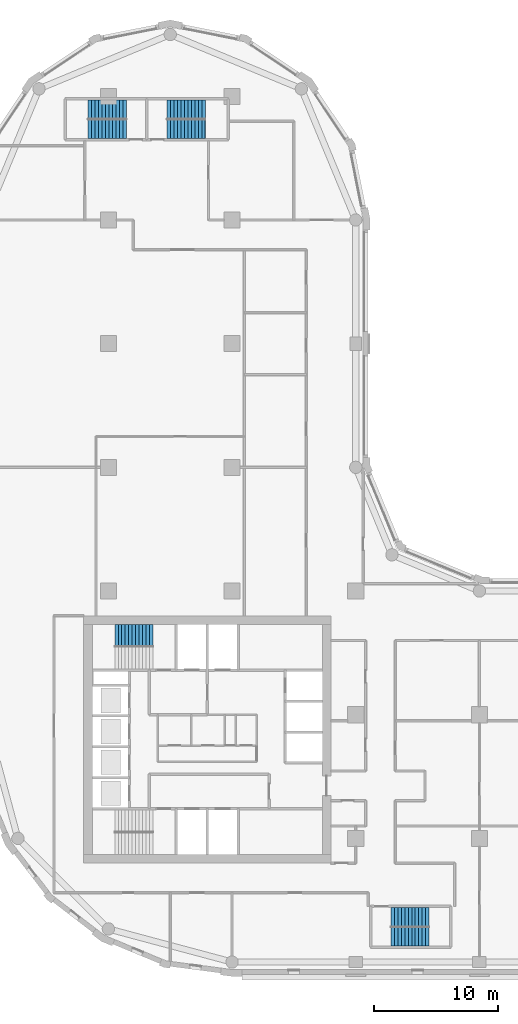
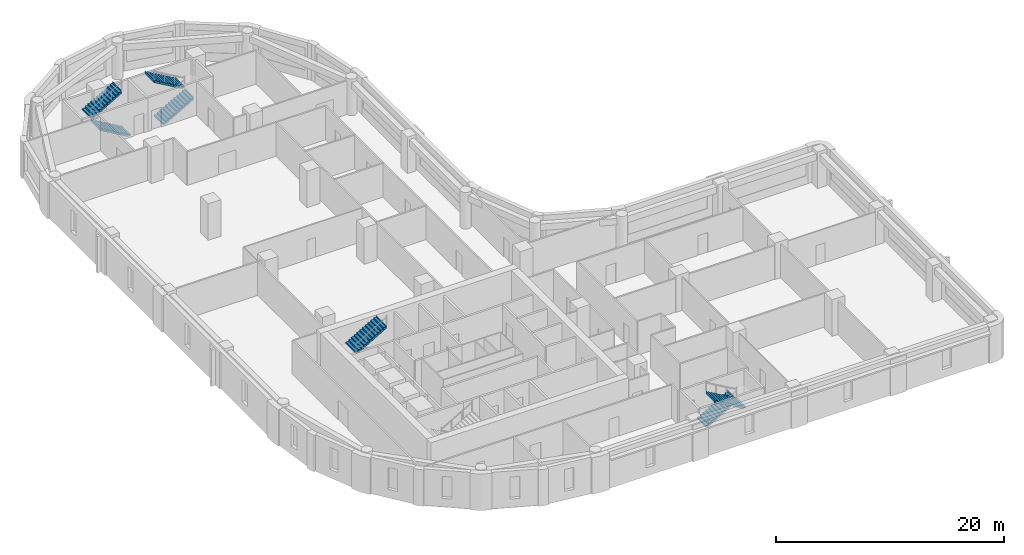
# One storey, part 7 of 9: 7 stair flights, 4 elements without a shape of their own.
"""IFC4 building model written with IfcOpenShell, lengths in metres."""

from ifc_helpers import new_model, si_unit, direction, frame, origin, place, context, subcontext, project, spatial, polyline, outline, extrude, material, type_object, element, aggregate, save


model = new_model("IFC4")

# Units and contexts
model_context = context("Model", 3, precision=1e-05, world=origin(), true_north=direction((0.0, 1.0)))
body_context = subcontext(model_context, "Body", "Model", "MODEL_VIEW")
ifc_project = project(units=[si_unit("LENGTHUNIT", "METRE"), si_unit("AREAUNIT", "SQUARE_METRE"), si_unit("VOLUMEUNIT", "CUBIC_METRE"), si_unit("PLANEANGLEUNIT", "RADIAN"), si_unit("MASSUNIT", "GRAM", prefix="KILO")], contexts=[model_context])

# Site, building, storey
site_placement = place(None, origin())
site = spatial("IfcSite", under=ifc_project, at=site_placement, CompositionType="ELEMENT")
building_placement = place(site_placement, origin())
building = spatial("IfcBuilding", under=site, at=building_placement, Name="Qaws Garden Tower", CompositionType="ELEMENT")
storey_placement = place(building_placement, frame((0.0, 0.0, 162.89990234375)))
storey = spatial("IfcBuildingStorey", under=building, at=storey_placement, Name="L39", CompositionType="ELEMENT", Elevation=162.89990234375)

# Stair, stair flights
ifc_material_1 = material(Name="Concrete C40", Category="concrete")
stair_type_1 = type_object("IfcStairType", Name="Exit stair 1350", PredefinedType="HALF_TURN_STAIR", material=ifc_material_1)
placement = place(storey_placement, origin())
stair_1 = element("IfcStair", 1, at=placement, inside=storey, type_object=stair_type_1, Name="Stair 5", PredefinedType="HALF_TURN_STAIR")
ifc_material_2 = material(Name="Concrete C40", Category="concrete")
stair_flight_type_1 = type_object("IfcStairFlightType", Name="Stair flight 1350", PredefinedType="STRAIGHT", material=ifc_material_2)
stair_flight_1_placement = place(storey_placement, frame((32.85009765625, 3.625, 0.0), z_axis=(0.0, 0.0, 1.0), x_axis=(1.0, 0.0, 0.0)))
stair_flight_1 = element("IfcStairFlight", 2, at=stair_flight_1_placement, type_object=stair_flight_type_1, Name="ST5 flight 1", NumberOfRisers=12, NumberOfTreads=11, PredefinedType="STRAIGHT", RiserHeight=0.1625, TreadLength=0.28, context=body_context, shape_type="SweptSolid", body=[
    extrude(outline(polyline([(-0.0029296875, 0.0), (-0.0029296875, 0.16259765625), (0.0, 0.16259765625), (0.280029296875, 0.16259765625), (0.280029296875, 0.324951171875), (0.56005859375, 0.324951171875), (0.56005859375, 0.487548828125), (0.840087890625, 0.487548828125), (0.840087890625, 0.64990234375), (1.1201171875, 0.64990234375), (1.1201171875, 0.8125), (1.39990234375, 0.8125), (1.39990234375, 0.97509765625), (1.679931640625, 0.97509765625), (1.679931640625, 1.137451171875), (1.9599609375, 1.137451171875), (1.9599609375, 1.300048828125), (2.239990234375, 1.300048828125), (2.239990234375, 1.46240234375), (2.52001953125, 1.46240234375), (2.52001953125, 1.625), (2.800048828125, 1.625), (2.800048828125, 1.78759765625), (3.080078125, 1.78759765625), (3.080078125, 1.949951171875), (3.0830078125, 1.949951171875), (3.0830078125, 1.6142578125), (3.080078125, 1.6142578125), (0.298583984375, 0.0), (-0.0029296875, 0.0)])), frame((0.0, 0.77490234375, 0.0), z_axis=(0.0, -1.0, 0.0), x_axis=(1.0, 0.0, 0.0)), (0.0, 0.0, 1.0), 1.550048828125),
])
stair_flight_2_placement = place(storey_placement, frame((35.929931640625, 2.074951171875, 1.9501953125), z_axis=(0.0, 0.0, 1.0), x_axis=(-1.0, 0.0, 0.0)))
stair_flight_2 = element("IfcStairFlight", 3, at=stair_flight_2_placement, type_object=stair_flight_type_1, Name="ST5 flight 2", NumberOfRisers=12, NumberOfTreads=11, PredefinedType="STRAIGHT", RiserHeight=0.1625, TreadLength=0.28, context=body_context, shape_type="SweptSolid", body=[
    extrude(outline(polyline([(-0.0029296875, 0.0), (-0.0029296875, 0.16259765625), (0.0, 0.16259765625), (0.280029296875, 0.16259765625), (0.280029296875, 0.324951171875), (0.56005859375, 0.324951171875), (0.56005859375, 0.487548828125), (0.840087890625, 0.487548828125), (0.840087890625, 0.64990234375), (1.1201171875, 0.64990234375), (1.1201171875, 0.8125), (1.39990234375, 0.8125), (1.39990234375, 0.97509765625), (1.679931640625, 0.97509765625), (1.679931640625, 1.137451171875), (1.9599609375, 1.137451171875), (1.9599609375, 1.300048828125), (2.239990234375, 1.300048828125), (2.239990234375, 1.46240234375), (2.52001953125, 1.46240234375), (2.52001953125, 1.625), (2.800048828125, 1.625), (2.800048828125, 1.78759765625), (3.080078125, 1.78759765625), (3.080078125, 1.949951171875), (3.0830078125, 1.949951171875), (3.0830078125, 1.6142578125), (3.080078125, 1.6142578125), (0.298583984375, 0.0), (-0.0029296875, 0.0)])), frame((0.0, 0.77490234375, 0.0), z_axis=(0.0, -1.0, 0.0), x_axis=(1.0, 0.0, 0.0)), (0.0, 0.0, 1.0), 1.550048828125),
])
aggregate(stair_1, [stair_flight_1, stair_flight_2])

stair_2 = element("IfcStair", 4, at=placement, inside=storey, type_object=stair_type_1, Name="Stair 6", PredefinedType="HALF_TURN_STAIR")
stair_flight_3_placement = place(storey_placement, frame((11.449951171875, 67.375, 0.0), z_axis=(0.0, 0.0, 1.0), x_axis=(-1.0, 0.0, 0.0)))
stair_flight_3 = element("IfcStairFlight", 5, at=stair_flight_3_placement, type_object=stair_flight_type_1, Name="ST6 flight 1", NumberOfRisers=12, NumberOfTreads=11, PredefinedType="STRAIGHT", RiserHeight=0.1625, TreadLength=0.28, context=body_context, shape_type="SweptSolid", body=[
    extrude(outline(polyline([(-0.0029296875, 0.0), (-0.0029296875, 0.16259765625), (0.0, 0.16259765625), (0.280029296875, 0.16259765625), (0.280029296875, 0.324951171875), (0.56005859375, 0.324951171875), (0.56005859375, 0.487548828125), (0.840087890625, 0.487548828125), (0.840087890625, 0.64990234375), (1.1201171875, 0.64990234375), (1.1201171875, 0.8125), (1.39990234375, 0.8125), (1.39990234375, 0.97509765625), (1.679931640625, 0.97509765625), (1.679931640625, 1.137451171875), (1.9599609375, 1.137451171875), (1.9599609375, 1.300048828125), (2.239990234375, 1.300048828125), (2.239990234375, 1.46240234375), (2.52001953125, 1.46240234375), (2.52001953125, 1.625), (2.800048828125, 1.625), (2.800048828125, 1.78759765625), (3.080078125, 1.78759765625), (3.080078125, 1.949951171875), (3.0830078125, 1.949951171875), (3.0830078125, 1.6142578125), (3.080078125, 1.6142578125), (0.298583984375, 0.0), (-0.0029296875, 0.0)])), frame((0.0, 0.77490234375, 0.0), z_axis=(0.0, -1.0, 0.0), x_axis=(1.0, 0.0, 0.0)), (0.0, 0.0, 1.0), 1.550048828125),
])
stair_flight_4_placement = place(storey_placement, frame((8.3701171875, 68.925048828125, 1.9501953125), z_axis=(0.0, 0.0, 1.0), x_axis=(1.0, 0.0, 0.0)))
stair_flight_4 = element("IfcStairFlight", 6, at=stair_flight_4_placement, type_object=stair_flight_type_1, Name="ST6 flight 2", NumberOfRisers=12, NumberOfTreads=11, PredefinedType="STRAIGHT", RiserHeight=0.1625, TreadLength=0.28, context=body_context, shape_type="SweptSolid", body=[
    extrude(outline(polyline([(-0.0029296875, 0.0), (-0.0029296875, 0.16259765625), (0.0, 0.16259765625), (0.280029296875, 0.16259765625), (0.280029296875, 0.324951171875), (0.56005859375, 0.324951171875), (0.56005859375, 0.487548828125), (0.840087890625, 0.487548828125), (0.840087890625, 0.64990234375), (1.1201171875, 0.64990234375), (1.1201171875, 0.8125), (1.39990234375, 0.8125), (1.39990234375, 0.97509765625), (1.679931640625, 0.97509765625), (1.679931640625, 1.137451171875), (1.9599609375, 1.137451171875), (1.9599609375, 1.300048828125), (2.239990234375, 1.300048828125), (2.239990234375, 1.46240234375), (2.52001953125, 1.46240234375), (2.52001953125, 1.625), (2.800048828125, 1.625), (2.800048828125, 1.78759765625), (3.080078125, 1.78759765625), (3.080078125, 1.949951171875), (3.0830078125, 1.949951171875), (3.0830078125, 1.6142578125), (3.080078125, 1.6142578125), (0.298583984375, 0.0), (-0.0029296875, 0.0)])), frame((0.0, 0.77490234375, 0.0), z_axis=(0.0, -1.0, 0.0), x_axis=(1.0, 0.0, 0.0)), (0.0, 0.0, 1.0), 1.550048828125),
])
aggregate(stair_2, [stair_flight_3, stair_flight_4])

stair_3 = element("IfcStair", 7, at=placement, inside=storey, type_object=stair_type_1, Name="Stair 7", PredefinedType="HALF_TURN_STAIR")
stair_flight_5_placement = place(storey_placement, frame((14.75, 67.375, 0.0), z_axis=(0.0, 0.0, 1.0), x_axis=(1.0, 0.0, 0.0)))
stair_flight_5 = element("IfcStairFlight", 8, at=stair_flight_5_placement, type_object=stair_flight_type_1, Name="ST7 flight 1", NumberOfRisers=12, NumberOfTreads=11, PredefinedType="STRAIGHT", RiserHeight=0.1625, TreadLength=0.28, context=body_context, shape_type="SweptSolid", body=[
    extrude(outline(polyline([(-0.0029296875, 0.0), (-0.0029296875, 0.16259765625), (0.0, 0.16259765625), (0.280029296875, 0.16259765625), (0.280029296875, 0.324951171875), (0.56005859375, 0.324951171875), (0.56005859375, 0.487548828125), (0.840087890625, 0.487548828125), (0.840087890625, 0.64990234375), (1.1201171875, 0.64990234375), (1.1201171875, 0.8125), (1.39990234375, 0.8125), (1.39990234375, 0.97509765625), (1.679931640625, 0.97509765625), (1.679931640625, 1.137451171875), (1.9599609375, 1.137451171875), (1.9599609375, 1.300048828125), (2.239990234375, 1.300048828125), (2.239990234375, 1.46240234375), (2.52001953125, 1.46240234375), (2.52001953125, 1.625), (2.800048828125, 1.625), (2.800048828125, 1.78759765625), (3.080078125, 1.78759765625), (3.080078125, 1.949951171875), (3.0830078125, 1.949951171875), (3.0830078125, 1.6142578125), (3.080078125, 1.6142578125), (0.298583984375, 0.0), (-0.0029296875, 0.0)])), frame((0.0, 0.77490234375, 0.0), z_axis=(0.0, -1.0, 0.0), x_axis=(1.0, 0.0, 0.0)), (0.0, 0.0, 1.0), 1.550048828125),
])
stair_flight_6_placement = place(storey_placement, frame((17.830078125, 68.925048828125, 1.9501953125), z_axis=(0.0, 0.0, 1.0), x_axis=(-1.0, 0.0, 0.0)))
stair_flight_6 = element("IfcStairFlight", 9, at=stair_flight_6_placement, type_object=stair_flight_type_1, Name="ST7 flight 2", NumberOfRisers=12, NumberOfTreads=11, PredefinedType="STRAIGHT", RiserHeight=0.1625, TreadLength=0.28, context=body_context, shape_type="SweptSolid", body=[
    extrude(outline(polyline([(-0.0029296875, 0.0), (-0.0029296875, 0.16259765625), (0.0, 0.16259765625), (0.280029296875, 0.16259765625), (0.280029296875, 0.324951171875), (0.56005859375, 0.324951171875), (0.56005859375, 0.487548828125), (0.840087890625, 0.487548828125), (0.840087890625, 0.64990234375), (1.1201171875, 0.64990234375), (1.1201171875, 0.8125), (1.39990234375, 0.8125), (1.39990234375, 0.97509765625), (1.679931640625, 0.97509765625), (1.679931640625, 1.137451171875), (1.9599609375, 1.137451171875), (1.9599609375, 1.300048828125), (2.239990234375, 1.300048828125), (2.239990234375, 1.46240234375), (2.52001953125, 1.46240234375), (2.52001953125, 1.625), (2.800048828125, 1.625), (2.800048828125, 1.78759765625), (3.080078125, 1.78759765625), (3.080078125, 1.949951171875), (3.0830078125, 1.949951171875), (3.0830078125, 1.6142578125), (3.080078125, 1.6142578125), (0.298583984375, 0.0), (-0.0029296875, 0.0)])), frame((0.0, 0.77490234375, 0.0), z_axis=(0.0, -1.0, 0.0), x_axis=(1.0, 0.0, 0.0)), (0.0, 0.0, 1.0), 1.550048828125),
])
aggregate(stair_3, [stair_flight_5, stair_flight_6])

# Stair, stair flight
ifc_material_3 = material(Name="Concrete C40", Category="concrete")
stair_type_2 = type_object("IfcStairType", Name="Exit stair 1500", PredefinedType="HALF_TURN_STAIR", material=ifc_material_3)
stair_4 = element("IfcStair", 10, at=placement, inside=storey, type_object=stair_type_2, Name="Stair 4", PredefinedType="HALF_TURN_STAIR")
ifc_material_4 = material(Name="Concrete C40", Category="concrete")
stair_flight_type_2 = type_object("IfcStairFlightType", Name="Stair flight 1500", PredefinedType="STRAIGHT", material=ifc_material_4)
stair_flight_7_placement = place(storey_placement, frame((10.52001953125, 26.39990234375, 1.9501953125), z_axis=(0.0, 0.0, 1.0), x_axis=(1.0, 0.0, 0.0)))
stair_flight_7 = element("IfcStairFlight", 11, at=stair_flight_7_placement, type_object=stair_flight_type_2, Name="ST4 flight 2", NumberOfRisers=12, NumberOfTreads=11, PredefinedType="STRAIGHT", RiserHeight=0.1625, TreadLength=0.28, context=body_context, shape_type="SweptSolid", body=[
    extrude(outline(polyline([(-0.0029296875, 0.0), (-0.0029296875, 0.16259765625), (0.0, 0.16259765625), (0.280029296875, 0.16259765625), (0.280029296875, 0.324951171875), (0.56005859375, 0.324951171875), (0.56005859375, 0.487548828125), (0.840087890625, 0.487548828125), (0.840087890625, 0.64990234375), (1.1201171875, 0.64990234375), (1.1201171875, 0.8125), (1.39990234375, 0.8125), (1.39990234375, 0.97509765625), (1.679931640625, 0.97509765625), (1.679931640625, 1.137451171875), (1.9599609375, 1.137451171875), (1.9599609375, 1.300048828125), (2.239990234375, 1.300048828125), (2.239990234375, 1.46240234375), (2.52001953125, 1.46240234375), (2.52001953125, 1.625), (2.800048828125, 1.625), (2.800048828125, 1.78759765625), (3.080078125, 1.78759765625), (3.080078125, 1.949951171875), (3.0830078125, 1.949951171875), (3.0830078125, 1.6142578125), (3.080078125, 1.6142578125), (0.298583984375, 0.0), (-0.0029296875, 0.0)])), frame((0.0, 0.89501953125, 0.0), z_axis=(0.0, -1.0, 0.0), x_axis=(1.0, 0.0, 0.0)), (0.0, 0.0, 1.0), 1.7900390625),
])
aggregate(stair_4, [stair_flight_7])

save(model, "model.ifc")
